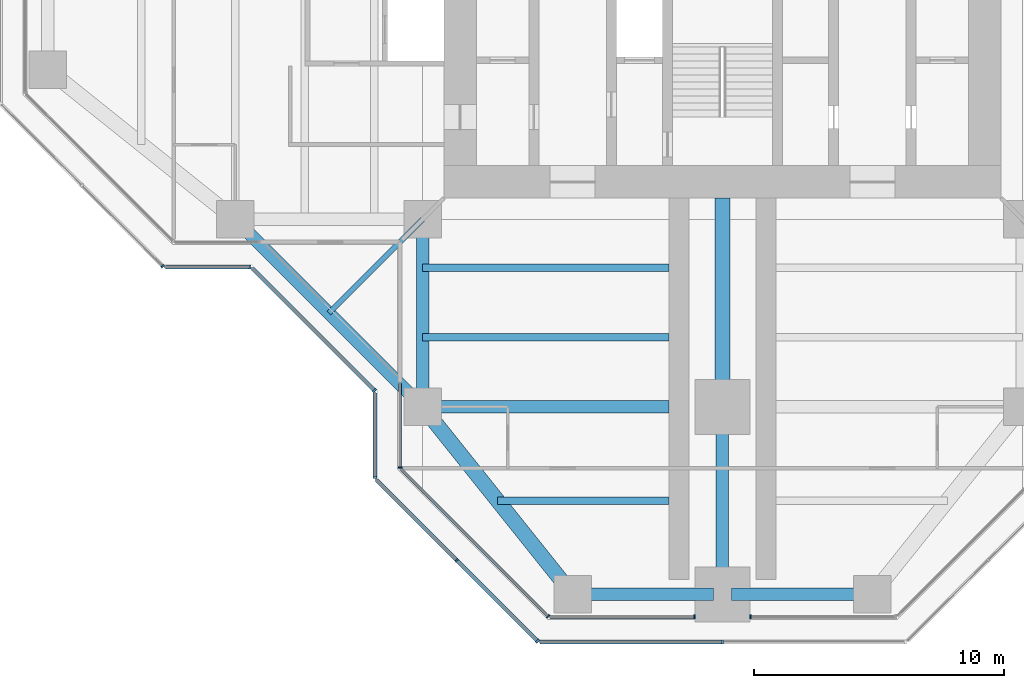
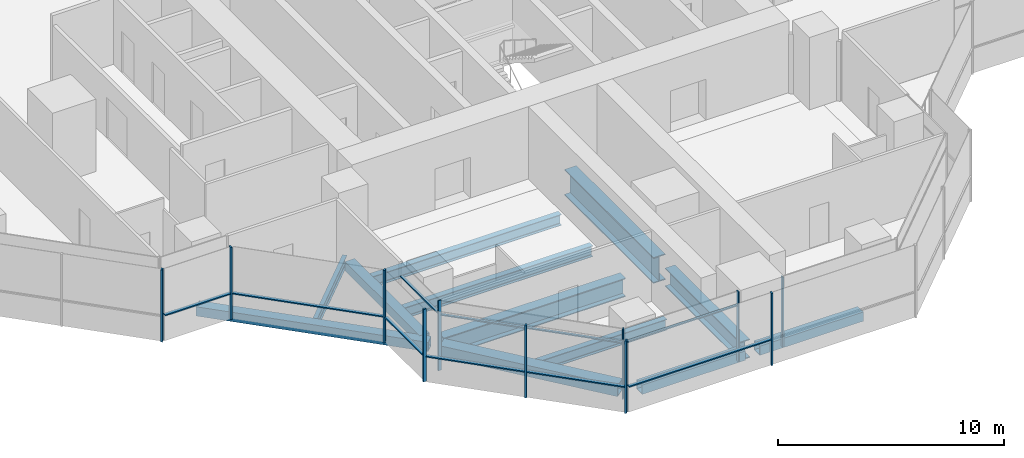
# One storey, part 2 of 17: 20 members, 12 beams, 10 elements without a shape of their own.
"""IFC4 building model written with IfcOpenShell, lengths in metres."""

from ifc_helpers import new_model, si_unit, direction, frame, origin, origin_2d, place, context, subcontext, project, spatial, rectangle, hollow_rectangle, i_section, extrude, material, material_profile, profile_set, type_object, element, aggregate, save


model = new_model("IFC4")

# Units and contexts
model_context = context("Model", 3, precision=1e-05, world=origin(), true_north=direction((0.0, 1.0)))
body_context = subcontext(model_context, "Body", "Model", "MODEL_VIEW")
ifc_project = project(units=[si_unit("LENGTHUNIT", "METRE"), si_unit("AREAUNIT", "SQUARE_METRE"), si_unit("VOLUMEUNIT", "CUBIC_METRE"), si_unit("PLANEANGLEUNIT", "RADIAN"), si_unit("MASSUNIT", "GRAM", prefix="KILO")], contexts=[model_context])

# Site, building, storey
site_placement = place(None, origin())
site = spatial("IfcSite", under=ifc_project, at=site_placement, CompositionType="ELEMENT")
building_placement = place(site_placement, origin())
building = spatial("IfcBuilding", under=site, at=building_placement, Name="Mizan Broadcast Tower", CompositionType="ELEMENT")
storey_placement = place(building_placement, frame((0.0, 0.0, 240.0)))
storey = spatial("IfcBuildingStorey", under=building, at=storey_placement, Name="L56", CompositionType="ELEMENT", Elevation=240.0)

# Beams
ifc_material_1 = material(Name="Steel S355", Category="steel")
ifc_material_profile_1 = material_profile(ifc_material_1, hollow_rectangle(XDim=0.5, YDim=0.5, WallThickness=0.030029296875, at=origin_2d()), Name="BOX 500x500x30")
ifc_profile_set_1 = profile_set([ifc_material_profile_1], Name="Steel S355")
beam_type_1 = type_object("IfcBeamType", Name="EDGE BEAM BOX 500x500x30", PredefinedType="SPANDREL", material=ifc_profile_set_1)
beam_1_placement = place(storey_placement, frame((-12.0, -12.449951171875, -0.3798828125), z_axis=(0.0, -1.0, 0.0), x_axis=(1.0, 0.0, 0.0)))
element("IfcBeam", 1, at=beam_1_placement, inside=storey, type_object=beam_type_1, Name="Edge beam BOX 500x500x30 L56 south arm", PredefinedType="SPANDREL", context=body_context, shape_type="SweptSolid", body=[
    extrude(hollow_rectangle(XDim=0.5, YDim=0.5, WallThickness=0.030029296875, at=origin_2d()), origin(), (0.0, 0.0, 1.0), 6.60009765625),
])
for number, where, z_axis, x_axis, name in (
    (2, (-5.639892578125, -27.0, -0.3798828125), (1.0, 0.0, 0.0), (0.0, 1.0, 0.0), "Edge beam BOX 500x500x30 L56 south arm"),
    (3, (5.639892578125, -27.0, -0.3798828125), (-1.0, 0.0, 0.0), (0.0, -1.0, 0.0), "Edge beam BOX 500x500x30 L56 south arm"),
):
    element("IfcBeam", number, at=place(storey_placement, frame(where, z_axis=z_axis, x_axis=x_axis)), inside=storey, type_object=beam_type_1, Name=name, PredefinedType="SPANDREL", context=body_context, shape_type="SweptSolid", body=[
        extrude(hollow_rectangle(XDim=0.5, YDim=0.5, WallThickness=0.030029296875, at=origin_2d()), origin(), (0.0, 0.0, 1.0), 5.27978515625),
    ])
beam_2_placement = place(storey_placement, frame((-19.5, -12.0, -0.3798828125), z_axis=(0.707106781187, -0.707106781187, 0.0), x_axis=(0.707106781187, 0.707106781187, 0.0)))
element("IfcBeam", 4, at=beam_2_placement, inside=storey, type_object=beam_type_1, Name="Winter garden edge beam L56 W", PredefinedType="SPANDREL", context=body_context, shape_type="SweptSolid", body=[
    extrude(hollow_rectangle(XDim=0.5, YDim=0.5, WallThickness=0.030029296875, at=origin_2d()), origin(), (0.0, 0.0, 1.0), 10.606689453125),
])
ifc_material_2 = material(Name="Steel S355", Category="steel")
ifc_material_profile_2 = material_profile(ifc_material_2, hollow_rectangle(XDim=0.60009765625, YDim=0.60009765625, WallThickness=0.030029296875, at=origin_2d()), Name="BOX 600x600x30")
ifc_profile_set_2 = profile_set([ifc_material_profile_2], Name="Steel S355")
beam_type_2 = type_object("IfcBeamType", Name="EDGE BEAM BOX 600x600x30", PredefinedType="SPANDREL", material=ifc_profile_set_2)
beam_3_placement = place(storey_placement, frame((-11.639892578125, -19.949951171875, -0.429931640625), z_axis=(0.624673911726, -0.780885717636, 0.0), x_axis=(0.780885717636, 0.624673911726, 0.0)))
element("IfcBeam", 5, at=beam_3_placement, inside=storey, type_object=beam_type_2, Name="Edge beam BOX 600x600x30 L56 south arm", PredefinedType="SPANDREL", context=body_context, shape_type="SweptSolid", body=[
    extrude(hollow_rectangle(XDim=0.60009765625, YDim=0.60009765625, WallThickness=0.030029296875, at=origin_2d()), origin(), (0.0, 0.0, 1.0), 8.4521484375),
])
ifc_material_3 = material(Name="Steel S460", Category="steel")
ifc_material_profile_3 = material_profile(ifc_material_3, i_section(OverallWidth=0.5, OverallDepth=1.0, WebThickness=0.02490234375, FlangeThickness=0.050048828125, at=origin_2d()), Name="WPG 1000x500")
ifc_profile_set_3 = profile_set([ifc_material_profile_3], Name="Steel S460")
beam_type_3 = type_object("IfcBeamType", Name="GIRDER WPG 1000x500", PredefinedType="BEAM", material=ifc_profile_set_3)
beam_4_placement = place(storey_placement, frame((0.0, -19.949951171875, -0.6298828125), z_axis=(0.0, -1.0, 0.0), x_axis=(1.0, 0.0, 0.0)))
element("IfcBeam", 6, at=beam_4_placement, inside=storey, type_object=beam_type_3, Name="Girder WPG 1000x500 L56 south arm", PredefinedType="BEAM", context=body_context, shape_type="SweptSolid", body=[
    extrude(i_section(OverallWidth=0.5, OverallDepth=1.0, WebThickness=0.02490234375, FlangeThickness=0.050048828125, at=origin_2d()), origin(), (0.0, 0.0, 1.0), 6.60009765625),
])
beam_5_placement = place(storey_placement, frame((-11.408935546875, -19.5, -0.6298828125), z_axis=(1.0, 0.0, 0.0), x_axis=(0.0, 1.0, 0.0)))
element("IfcBeam", 7, at=beam_5_placement, inside=storey, type_object=beam_type_3, Name="Girder WPG 1000x500 L56 south arm", PredefinedType="BEAM", context=body_context, shape_type="SweptSolid", body=[
    extrude(i_section(OverallWidth=0.5, OverallDepth=1.0, WebThickness=0.02490234375, FlangeThickness=0.050048828125, at=origin_2d()), origin(), (0.0, 0.0, 1.0), 9.259033203125),
])
ifc_material_4 = material(Name="Steel S460", Category="steel")
ifc_material_profile_4 = material_profile(ifc_material_4, i_section(OverallWidth=0.60009765625, OverallDepth=1.39990234375, WebThickness=0.02490234375, FlangeThickness=0.06005859375, at=origin_2d()), Name="WPG 1400x600")
ifc_profile_set_4 = profile_set([ifc_material_profile_4], Name="Steel S460")
beam_type_4 = type_object("IfcBeamType", Name="GIRDER WPG 1400x600", PredefinedType="BEAM", material=ifc_profile_set_4)
beam_6_placement = place(storey_placement, frame((0.0, -11.14990234375, -0.830078125), z_axis=(0.0, -1.0, 0.0), x_axis=(1.0, 0.0, 0.0)))
element("IfcBeam", 8, at=beam_6_placement, inside=storey, type_object=beam_type_4, Name="Girder WPG 1400x600 L56 south arm", PredefinedType="BEAM", context=body_context, shape_type="SweptSolid", body=[
    extrude(i_section(OverallWidth=0.60009765625, OverallDepth=1.39990234375, WebThickness=0.02490234375, FlangeThickness=0.06005859375, at=origin_2d()), origin(), (0.0, 0.0, 1.0), 7.84912109375),
])

# Curtain wall, member
ifc_material_5 = material(Name="Aluminium framed glazing", Category="aluminium")
curtain_wall_type_1 = type_object("IfcCurtainWallType", Name="INNER SKIN HIGH ZONE", PredefinedType="USERDEFINED", material=ifc_material_5)
curtain_wall_1_placement = place(storey_placement, origin())
curtain_wall_1 = element("IfcCurtainWall", 9, at=curtain_wall_1_placement, inside=storey, type_object=curtain_wall_type_1, Name="Inner skin high zone L56 S side", ObjectType="INNER SKIN HIGH ZONE", PredefinedType="USERDEFINED")
ifc_material_6 = material(Name="Aluminium, pale anodised", Category="aluminium")
ifc_material_profile_5 = material_profile(ifc_material_6, rectangle(XDim=0.159912109375, YDim=0.06005859375, at=origin_2d()), Name="MULLION 160x60")
ifc_profile_set_5 = profile_set([ifc_material_profile_5], Name="Aluminium, pale anodised")
member_type_1 = type_object("IfcMemberType", Name="INNER SKIN MULLION 60x160", PredefinedType="MULLION", material=ifc_profile_set_5)
member_1_placement = place(storey_placement, frame((-12.89990234375, -21.928466796875, 0.0), z_axis=(0.0, 0.0, 1.0), x_axis=(1.0, 0.0, 0.0)))
member_1 = element("IfcMember", 10, at=member_1_placement, type_object=member_type_1, Name="Inner skin high zone L56 S side mullion 2", PredefinedType="MULLION", context=body_context, shape_type="SweptSolid", body=[
    extrude(rectangle(XDim=0.159912109375, YDim=0.06005859375, at=origin_2d()), origin(), (0.0, 0.0, 1.0), 3.77001953125),
])

curtain_wall_2_placement = place(storey_placement, origin())
curtain_wall_2 = element("IfcCurtainWall", 11, at=curtain_wall_2_placement, inside=storey, type_object=curtain_wall_type_1, Name="Inner skin high zone L56 S chamfer", ObjectType="INNER SKIN HIGH ZONE", PredefinedType="USERDEFINED")
member_2_placement = place(storey_placement, frame((-6.979736328125, -27.87890625, 0.0), z_axis=(0.0, 0.0, 1.0), x_axis=(0.707106781187, 0.707106781187, 0.0)))
member_2 = element("IfcMember", 12, at=member_2_placement, type_object=member_type_1, Name="Inner skin high zone L56 S chamfer mullion 2", PredefinedType="MULLION", context=body_context, shape_type="SweptSolid", body=[
    extrude(rectangle(XDim=0.159912109375, YDim=0.06005859375, at=origin_2d()), origin(), (0.0, 0.0, 1.0), 3.77001953125),
])

curtain_wall_3_placement = place(storey_placement, origin())
curtain_wall_3 = element("IfcCurtainWall", 13, at=curtain_wall_3_placement, inside=storey, type_object=curtain_wall_type_1, Name="Inner skin high zone L56 S end", ObjectType="INNER SKIN HIGH ZONE", PredefinedType="USERDEFINED")
member_3_placement = place(storey_placement, frame((-1.1298828125, -27.89990234375, 0.0), z_axis=(0.0, 0.0, 1.0), x_axis=(0.0, 1.0, 0.0)))
member_3 = element("IfcMember", 14, at=member_3_placement, type_object=member_type_1, Name="Inner skin high zone L56 S end mullion 2", PredefinedType="MULLION", context=body_context, shape_type="SweptSolid", body=[
    extrude(rectangle(XDim=0.159912109375, YDim=0.06005859375, at=origin_2d()), origin(), (0.0, 0.0, 1.0), 3.77001953125),
])

curtain_wall_4_placement = place(storey_placement, origin())
curtain_wall_4 = element("IfcCurtainWall", 15, at=curtain_wall_4_placement, inside=storey, type_object=curtain_wall_type_1, Name="Inner skin high zone L56 S end", ObjectType="INNER SKIN HIGH ZONE", PredefinedType="USERDEFINED")
member_4_placement = place(storey_placement, frame((1.1298828125, -27.89990234375, 0.0), z_axis=(0.0, 0.0, 1.0), x_axis=(0.0, 1.0, 0.0)))
member_4 = element("IfcMember", 16, at=member_4_placement, type_object=member_type_1, Name="Inner skin high zone L56 S end mullion 1", PredefinedType="MULLION", context=body_context, shape_type="SweptSolid", body=[
    extrude(rectangle(XDim=0.159912109375, YDim=0.06005859375, at=origin_2d()), origin(), (0.0, 0.0, 1.0), 3.77001953125),
])
aggregate(curtain_wall_4, [member_4])

# Member
ifc_material_7 = material(Name="Aluminium, pale anodised", Category="aluminium")
ifc_material_profile_6 = material_profile(ifc_material_7, rectangle(XDim=0.1201171875, YDim=0.06005859375, at=origin_2d()), Name="TRANSOM 120x60")
ifc_profile_set_6 = profile_set([ifc_material_profile_6], Name="Aluminium, pale anodised")
member_type_2 = type_object("IfcMemberType", Name="INNER SKIN TRANSOM 60x120", PredefinedType="USERDEFINED", material=ifc_profile_set_6)
member_5_placement = place(storey_placement, frame((-12.89990234375, -18.56005859375, 3.030029296875), z_axis=(0.0, -1.0, 0.0), x_axis=(1.0, 0.0, 0.0)))
member_5 = element("IfcMember", 17, at=member_5_placement, type_object=member_type_2, Name="Inner skin high zone L56 S side transom 1.1", ObjectType="TRANSOM", PredefinedType="USERDEFINED", context=body_context, shape_type="SweptSolid", body=[
    extrude(rectangle(XDim=0.1201171875, YDim=0.06005859375, at=origin_2d()), origin(), (0.0, 0.0, 1.0), 3.338623046875),
])

aggregate(curtain_wall_1, [member_1, member_5])

member_6_placement = place(storey_placement, frame((-12.857666015625, -22.0009765625, 3.030029296875), z_axis=(0.707106781187, -0.707106781187, 0.0), x_axis=(0.707106781187, 0.707106781187, 0.0)))
member_6 = element("IfcMember", 18, at=member_6_placement, type_object=member_type_2, Name="Inner skin high zone L56 S chamfer transom 1.1", ObjectType="TRANSOM", PredefinedType="USERDEFINED", context=body_context, shape_type="SweptSolid", body=[
    extrude(rectangle(XDim=0.1201171875, YDim=0.06005859375, at=origin_2d()), origin(), (0.0, 0.0, 1.0), 8.28271484375),
])

aggregate(curtain_wall_2, [member_2, member_6])

member_7_placement = place(storey_placement, frame((-6.898681640625, -27.89990234375, 3.030029296875), z_axis=(1.0, 0.0, 0.0), x_axis=(0.0, 1.0, 0.0)))
member_7 = element("IfcMember", 19, at=member_7_placement, type_object=member_type_2, Name="Inner skin high zone L56 S end transom 1.1", ObjectType="TRANSOM", PredefinedType="USERDEFINED", context=body_context, shape_type="SweptSolid", body=[
    extrude(rectangle(XDim=0.1201171875, YDim=0.06005859375, at=origin_2d()), origin(), (0.0, 0.0, 1.0), 5.73876953125),
])

aggregate(curtain_wall_3, [member_3, member_7])

# Curtain wall, member
ifc_material_8 = material(Name="Aluminium framed glazing", Category="aluminium")
curtain_wall_type_2 = type_object("IfcCurtainWallType", Name="OUTER SKIN", PredefinedType="USERDEFINED", material=ifc_material_8)
curtain_wall_5_placement = place(storey_placement, origin())
curtain_wall_5 = element("IfcCurtainWall", 20, at=curtain_wall_5_placement, inside=storey, type_object=curtain_wall_type_2, Name="Outer skin L56 W chamfer", ObjectType="OUTER SKIN", PredefinedType="USERDEFINED")
ifc_material_9 = material(Name="Aluminium, pale anodised", Category="aluminium")
ifc_material_profile_7 = material_profile(ifc_material_9, rectangle(XDim=0.159912109375, YDim=0.080078125, at=origin_2d()), Name="MULLION 160x80")
ifc_profile_set_7 = profile_set([ifc_material_profile_7], Name="Aluminium, pale anodised")
member_type_3 = type_object("IfcMemberType", Name="OUTER SKIN MULLION 80x160", PredefinedType="MULLION", material=ifc_profile_set_7)
member_8_placement = place(storey_placement, frame((-22.401123046875, -13.871826171875, 0.0), z_axis=(0.0, 0.0, 1.0), x_axis=(0.707106781187, 0.707106781187, 0.0)))
member_8 = element("IfcMember", 21, at=member_8_placement, type_object=member_type_3, Name="Outer skin L56 W chamfer mullion 3", PredefinedType="MULLION", context=body_context, shape_type="SweptSolid", body=[
    extrude(rectangle(XDim=0.159912109375, YDim=0.080078125, at=origin_2d()), origin(), (0.0, 0.0, 1.0), 3.89990234375),
])
aggregate(curtain_wall_5, [member_8])

curtain_wall_6_placement = place(storey_placement, origin())
curtain_wall_6 = element("IfcCurtainWall", 22, at=curtain_wall_6_placement, inside=storey, type_object=curtain_wall_type_2, Name="Outer skin L56 W side", ObjectType="OUTER SKIN", PredefinedType="USERDEFINED")
member_9_placement = place(storey_placement, frame((-18.912841796875, -13.89990234375, 0.0), z_axis=(0.0, 0.0, 1.0), x_axis=(0.0, 1.0, 0.0)))
member_9 = element("IfcMember", 23, at=member_9_placement, type_object=member_type_3, Name="Outer skin L56 W side mullion 2", PredefinedType="MULLION", context=body_context, shape_type="SweptSolid", body=[
    extrude(rectangle(XDim=0.159912109375, YDim=0.080078125, at=origin_2d()), origin(), (0.0, 0.0, 1.0), 3.89990234375),
])

curtain_wall_7_placement = place(storey_placement, origin())
curtain_wall_7 = element("IfcCurtainWall", 24, at=curtain_wall_7_placement, inside=storey, type_object=curtain_wall_type_2, Name="Outer skin L56 W chamfer", ObjectType="OUTER SKIN", PredefinedType="USERDEFINED")
member_10_placement = place(storey_placement, frame((-13.92822265625, -18.844482421875, 0.0), z_axis=(0.0, 0.0, 1.0), x_axis=(0.707106781187, 0.707106781187, 0.0)))
member_10 = element("IfcMember", 25, at=member_10_placement, type_object=member_type_3, Name="Outer skin L56 W chamfer mullion 2", PredefinedType="MULLION", context=body_context, shape_type="SweptSolid", body=[
    extrude(rectangle(XDim=0.159912109375, YDim=0.080078125, at=origin_2d()), origin(), (0.0, 0.0, 1.0), 3.89990234375),
])

curtain_wall_8_placement = place(storey_placement, origin())
curtain_wall_8 = element("IfcCurtainWall", 26, at=curtain_wall_8_placement, inside=storey, type_object=curtain_wall_type_2, Name="Outer skin L56 S side", ObjectType="OUTER SKIN", PredefinedType="USERDEFINED")
member_11_placement = place(storey_placement, frame((-13.89990234375, -22.332763671875, 0.0), z_axis=(0.0, 0.0, 1.0), x_axis=(1.0, 0.0, 0.0)))
member_11 = element("IfcMember", 27, at=member_11_placement, type_object=member_type_3, Name="Outer skin L56 S side mullion 2", PredefinedType="MULLION", context=body_context, shape_type="SweptSolid", body=[
    extrude(rectangle(XDim=0.159912109375, YDim=0.080078125, at=origin_2d()), origin(), (0.0, 0.0, 1.0), 3.89990234375),
])

# Curtain wall, members
curtain_wall_9_placement = place(storey_placement, origin())
curtain_wall_9 = element("IfcCurtainWall", 28, at=curtain_wall_9_placement, inside=storey, type_object=curtain_wall_type_2, Name="Outer skin L56 S chamfer", ObjectType="OUTER SKIN", PredefinedType="USERDEFINED")
member_12_placement = place(storey_placement, frame((-10.636474609375, -25.636474609375, 0.0), z_axis=(0.0, 0.0, 1.0), x_axis=(0.707106781187, 0.707106781187, 0.0)))
member_12 = element("IfcMember", 29, at=member_12_placement, type_object=member_type_3, Name="Outer skin L56 S chamfer mullion 2", PredefinedType="MULLION", context=body_context, shape_type="SweptSolid", body=[
    extrude(rectangle(XDim=0.159912109375, YDim=0.080078125, at=origin_2d()), origin(), (0.0, 0.0, 1.0), 3.89990234375),
])
member_13_placement = place(storey_placement, frame((-7.401123046875, -28.871826171875, 0.0), z_axis=(0.0, 0.0, 1.0), x_axis=(0.707106781187, 0.707106781187, 0.0)))
member_13 = element("IfcMember", 30, at=member_13_placement, type_object=member_type_3, Name="Outer skin L56 S chamfer mullion 3", PredefinedType="MULLION", context=body_context, shape_type="SweptSolid", body=[
    extrude(rectangle(XDim=0.159912109375, YDim=0.080078125, at=origin_2d()), origin(), (0.0, 0.0, 1.0), 3.89990234375),
])

# Curtain wall, member
curtain_wall_10_placement = place(storey_placement, origin())
curtain_wall_10 = element("IfcCurtainWall", 31, at=curtain_wall_10_placement, inside=storey, type_object=curtain_wall_type_2, Name="Outer skin L56 S end", ObjectType="OUTER SKIN", PredefinedType="USERDEFINED")
member_14_placement = place(storey_placement, frame((0.0, -28.89990234375, 0.0), z_axis=(0.0, 0.0, 1.0), x_axis=(0.0, 1.0, 0.0)))
member_14 = element("IfcMember", 32, at=member_14_placement, type_object=member_type_3, Name="Outer skin L56 S end mullion 2", PredefinedType="MULLION", context=body_context, shape_type="SweptSolid", body=[
    extrude(rectangle(XDim=0.159912109375, YDim=0.080078125, at=origin_2d()), origin(), (0.0, 0.0, 1.0), 3.89990234375),
])

# Member
ifc_material_10 = material(Name="Aluminium, pale anodised", Category="aluminium")
ifc_material_profile_8 = material_profile(ifc_material_10, rectangle(XDim=0.159912109375, YDim=0.06005859375, at=origin_2d()), Name="TRANSOM 160x60")
ifc_profile_set_8 = profile_set([ifc_material_profile_8], Name="Aluminium, pale anodised")
member_type_4 = type_object("IfcMemberType", Name="OUTER SKIN TRANSOM 60x160", PredefinedType="USERDEFINED", material=ifc_profile_set_8)
member_15_placement = place(storey_placement, frame((-22.292724609375, -13.89990234375, 1.39990234375), z_axis=(1.0, 0.0, 0.0), x_axis=(0.0, 1.0, 0.0)))
member_15 = element("IfcMember", 33, at=member_15_placement, type_object=member_type_4, Name="Outer skin L56 W side transom 1.1", ObjectType="TRANSOM", PredefinedType="USERDEFINED", context=body_context, shape_type="SweptSolid", body=[
    extrude(rectangle(XDim=0.159912109375, YDim=0.06005859375, at=origin_2d()), origin(), (0.0, 0.0, 1.0), 3.33984375),
])

aggregate(curtain_wall_6, [member_9, member_15])

member_16_placement = place(storey_placement, frame((-18.816162109375, -13.95654296875, 1.39990234375), z_axis=(0.707106781187, -0.707106781187, 0.0), x_axis=(0.707106781187, 0.707106781187, 0.0)))
member_16 = element("IfcMember", 34, at=member_16_placement, type_object=member_type_4, Name="Outer skin L56 W chamfer transom 1.1", ObjectType="TRANSOM", PredefinedType="USERDEFINED", context=body_context, shape_type="SweptSolid", body=[
    extrude(rectangle(XDim=0.159912109375, YDim=0.06005859375, at=origin_2d()), origin(), (0.0, 0.0, 1.0), 6.87255859375),
])

aggregate(curtain_wall_7, [member_10, member_16])

member_17_placement = place(storey_placement, frame((-13.89990234375, -18.952880859375, 1.39990234375), z_axis=(0.0, -1.0, 0.0), x_axis=(1.0, 0.0, 0.0)))
member_17 = element("IfcMember", 35, at=member_17_placement, type_object=member_type_4, Name="Outer skin L56 S side transom 1.1", ObjectType="TRANSOM", PredefinedType="USERDEFINED", context=body_context, shape_type="SweptSolid", body=[
    extrude(rectangle(XDim=0.159912109375, YDim=0.06005859375, at=origin_2d()), origin(), (0.0, 0.0, 1.0), 3.33984375),
])

aggregate(curtain_wall_8, [member_11, member_17])

member_18_placement = place(storey_placement, frame((-13.843505859375, -22.429443359375, 1.39990234375), z_axis=(0.707106781187, -0.707106781187, 0.0), x_axis=(0.707106781187, 0.707106781187, 0.0)))
member_18 = element("IfcMember", 36, at=member_18_placement, type_object=member_type_4, Name="Outer skin L56 S chamfer transom 1.1", ObjectType="TRANSOM", PredefinedType="USERDEFINED", context=body_context, shape_type="SweptSolid", body=[
    extrude(rectangle(XDim=0.159912109375, YDim=0.06005859375, at=origin_2d()), origin(), (0.0, 0.0, 1.0), 4.495361328125),
])

member_19_placement = place(storey_placement, frame((-10.608154296875, -25.664794921875, 1.39990234375), z_axis=(0.707106781187, -0.707106781187, 0.0), x_axis=(0.707106781187, 0.707106781187, 0.0)))
member_19 = element("IfcMember", 37, at=member_19_placement, type_object=member_type_4, Name="Outer skin L56 S chamfer transom 2.1", ObjectType="TRANSOM", PredefinedType="USERDEFINED", context=body_context, shape_type="SweptSolid", body=[
    extrude(rectangle(XDim=0.159912109375, YDim=0.06005859375, at=origin_2d()), origin(), (0.0, 0.0, 1.0), 4.495361328125),
])

aggregate(curtain_wall_9, [member_12, member_13, member_18, member_19])

member_20_placement = place(storey_placement, frame((-7.292724609375, -28.89990234375, 1.39990234375), z_axis=(1.0, 0.0, 0.0), x_axis=(0.0, 1.0, 0.0)))
member_20 = element("IfcMember", 38, at=member_20_placement, type_object=member_type_4, Name="Outer skin L56 S end transom 1.1", ObjectType="TRANSOM", PredefinedType="USERDEFINED", context=body_context, shape_type="SweptSolid", body=[
    extrude(rectangle(XDim=0.159912109375, YDim=0.06005859375, at=origin_2d()), origin(), (0.0, 0.0, 1.0), 7.252685546875),
])

aggregate(curtain_wall_10, [member_14, member_20])

# Beams
ifc_material_11 = material(Name="Steel S355", Category="steel")
ifc_material_profile_9 = material_profile(ifc_material_11, i_section(OverallWidth=0.300048828125, OverallDepth=0.590087890625, WebThickness=0.012939453125, FlangeThickness=0.02490234375, FilletRadius=0.027099609375, at=origin_2d()), Name="HEA 600")
ifc_profile_set_9 = profile_set([ifc_material_profile_9], Name="Steel S355")
beam_type_5 = type_object("IfcBeamType", Name="SECONDARY BEAM HEA 600", PredefinedType="JOIST", material=ifc_profile_set_9)
for number, where, z_axis, x_axis, name in (
    (39, (-12.0, -13.933349609375, -0.425048828125), (1.0, 0.0, 0.0), (0.0, 1.0, 0.0), "Secondary beam HEA 600 L56 south arm"),
    (40, (-12.0, -16.716552734375, -0.425048828125), (1.0, 0.0, 0.0), (0.0, 1.0, 0.0), "Secondary beam HEA 600 L56 south arm"),
):
    element("IfcBeam", number, at=place(storey_placement, frame(where, z_axis=z_axis, x_axis=x_axis)), inside=storey, type_object=beam_type_5, Name=name, PredefinedType="JOIST", context=body_context, shape_type="SweptSolid", body=[
        extrude(i_section(OverallWidth=0.300048828125, OverallDepth=0.590087890625, WebThickness=0.012939453125, FlangeThickness=0.02490234375, FilletRadius=0.027099609375, at=origin_2d()), origin(), (0.0, 0.0, 1.0), 9.85009765625),
    ])
beam_7_placement = place(storey_placement, frame((-9.0, -23.25, -0.425048828125), z_axis=(1.0, 0.0, 0.0), x_axis=(0.0, 1.0, 0.0)))
element("IfcBeam", 41, at=beam_7_placement, inside=storey, type_object=beam_type_5, Name="Secondary beam HEA 600 L56 south arm", PredefinedType="JOIST", context=body_context, shape_type="SweptSolid", body=[
    extrude(i_section(OverallWidth=0.300048828125, OverallDepth=0.590087890625, WebThickness=0.012939453125, FlangeThickness=0.02490234375, FilletRadius=0.027099609375, at=origin_2d()), origin(), (0.0, 0.0, 1.0), 6.85009765625),
])
ifc_material_12 = material(Name="Steel S355", Category="steel")
ifc_material_profile_10 = material_profile(ifc_material_12, i_section(OverallWidth=0.2099609375, OverallDepth=0.550048828125, WebThickness=0.010986328125, FlangeThickness=0.01708984375, FilletRadius=0.02392578125, at=origin_2d()), Name="IPE 550")
ifc_profile_set_10 = profile_set([ifc_material_profile_10], Name="Steel S355")
beam_type_6 = type_object("IfcBeamType", Name="SECONDARY BEAM IPE 550", PredefinedType="JOIST", material=ifc_profile_set_10)
beam_8_placement = place(storey_placement, frame((-12.0, -12.0, -0.405029296875), z_axis=(-0.707106781187, -0.707106781187, 0.0), x_axis=(0.707106781187, -0.707106781187, 0.0)))
element("IfcBeam", 42, at=beam_8_placement, inside=storey, type_object=beam_type_6, Name="Winter garden beam L56 W", PredefinedType="JOIST", context=body_context, shape_type="SweptSolid", body=[
    extrude(i_section(OverallWidth=0.2099609375, OverallDepth=0.550048828125, WebThickness=0.010986328125, FlangeThickness=0.01708984375, FilletRadius=0.02392578125, at=origin_2d()), origin(), (0.0, 0.0, 1.0), 5.30322265625),
])

save(model, "model.ifc")
